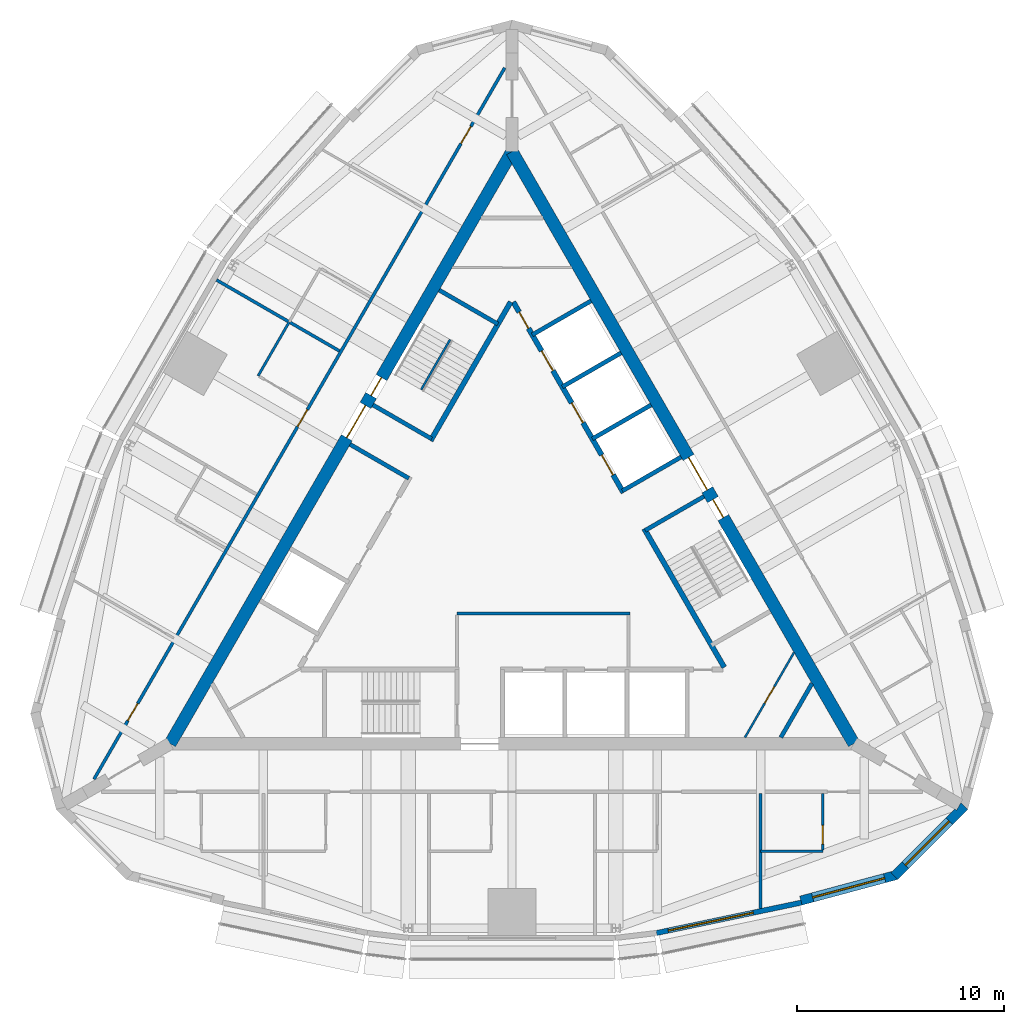
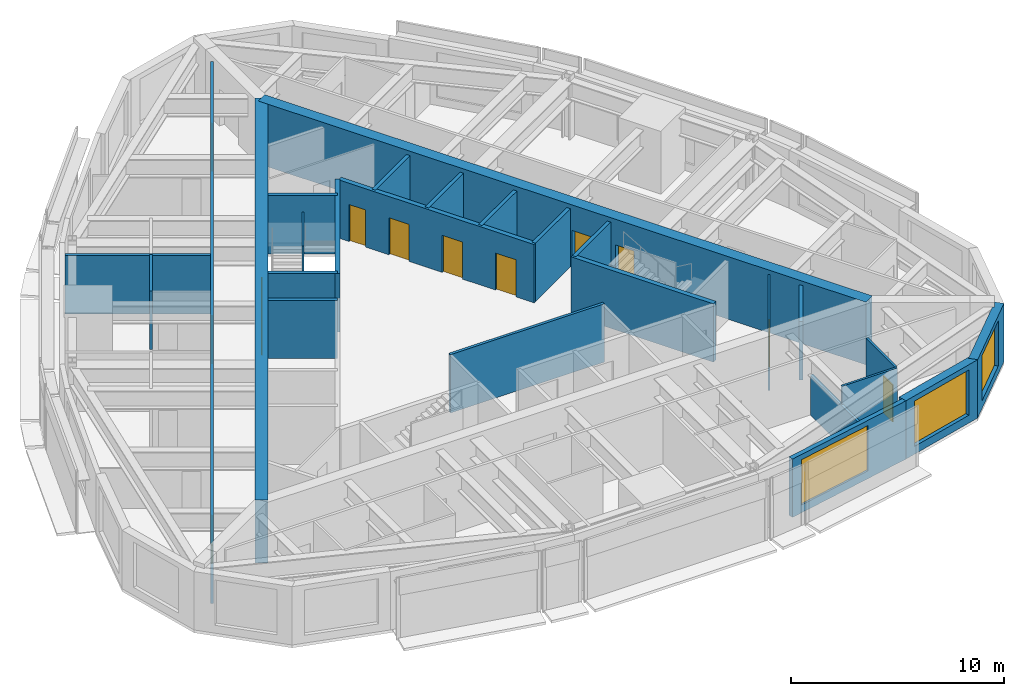
# One storey, part 9 of 12: 26 walls, 13 doors, 3 windows, 16 openings.
"""IFC4 building model written with IfcOpenShell, lengths in metres."""

from ifc_helpers import new_model, si_unit, direction, frame, frame_2d, origin, place, context, subcontext, project, spatial, polyline, rectangle, outline, extrude, material, layer, layer_set, type_object, element, fill, save


model = new_model("IFC4")

# Units and contexts
model_context = context("Model", 3, precision=1e-05, world=origin(), true_north=direction((0.0, 1.0)))
body_context = subcontext(model_context, "Body", "Model", "MODEL_VIEW")
ifc_project = project(units=[si_unit("LENGTHUNIT", "METRE"), si_unit("AREAUNIT", "SQUARE_METRE"), si_unit("VOLUMEUNIT", "CUBIC_METRE"), si_unit("PLANEANGLEUNIT", "RADIAN"), si_unit("MASSUNIT", "GRAM", prefix="KILO")], contexts=[model_context])

# Site, building, storey
site_placement = place(None, origin())
site = spatial("IfcSite", under=ifc_project, at=site_placement, CompositionType="ELEMENT")
building_placement = place(site_placement, origin())
building = spatial("IfcBuilding", under=site, at=building_placement, Name="Trikona Tower", CompositionType="ELEMENT")
storey_placement = place(building_placement, frame((0.0, 0.0, 271.699951171875)))
storey = spatial("IfcBuildingStorey", under=building, at=storey_placement, Name="L72", CompositionType="ELEMENT", Elevation=271.699951171875)

# Wall
ifc_material_1 = material(Name="Metal stud and cement board", Category="gypsum")
ifc_layer_1 = layer(ifc_material_1, 0.1201171875)
ifc_layer_set_1 = layer_set([ifc_layer_1], Name="Bathroom wall 120")
wall_type_1 = type_object("IfcWallType", Name="Bathroom wall 120", PredefinedType="PLUMBINGWALL", material=ifc_layer_set_1)
wall_1_placement = place(storey_placement, frame((12.0, -14.726318359375, 0.0), z_axis=(0.0, 0.0, 1.0), x_axis=(1.0, 0.0, 0.0)))
element("IfcWall", 1, at=wall_1_placement, inside=storey, type_object=wall_type_1, Name="Bathroom wall 7205", PredefinedType="PLUMBINGWALL", context=body_context, shape_type="SweptSolid", body=[
    extrude(rectangle(XDim=3.0, YDim=0.1201171875, at=frame_2d((1.5, 0.0))), origin(), (0.0, 0.0, 1.0), 3.35009765625),
])

# Wall, opening, door
wall_2_placement = place(storey_placement, frame((15.0, -11.92626953125, 0.0), z_axis=(0.0, 0.0, 1.0), x_axis=(0.0, -1.0, 0.0)))
wall_2 = element("IfcWall", 2, at=wall_2_placement, inside=storey, type_object=wall_type_1, Name="Bathroom wall 7205", PredefinedType="PLUMBINGWALL", context=body_context, shape_type="SweptSolid", body=[
    extrude(rectangle(XDim=2.739990234375, YDim=0.1201171875, at=frame_2d((1.3701171875, 0.0))), origin(), (0.0, 0.0, 1.0), 3.35009765625),
])
opening_1_placement = place(wall_2_placement, frame((1.550048828125, 0.0, 0.0)))
opening_1 = element("IfcOpeningElement", 3, at=opening_1_placement, cuts=wall_2, Name="Opening D2", PredefinedType="OPENING", context=body_context, shape_type="SweptSolid", body=[
    extrude(rectangle(XDim=0.89990234375, YDim=2.1298828125, at=frame_2d((0.449951171875, 1.06494140625))), frame((0.0, 0.070068359375, 0.0), z_axis=(0.0, -1.0, 0.0), x_axis=(1.0, 0.0, 0.0)), (0.0, 0.0, 1.0), 0.14013671875),
])
ifc_material_2 = material(Name="Steel door frame with solid-core timber leaf", Category="steel")
door_type_1 = type_object("IfcDoorType", Name="Bathroom door 900x2130", OperationType="SLIDING_TO_LEFT", PredefinedType="DOOR", material=ifc_material_2)
door_1_placement = place(opening_1_placement, origin())
door_1 = element("IfcDoor", 4, at=door_1_placement, inside=storey, type_object=door_type_1, Name="Bathroom door 7205", OperationType="SLIDING_TO_LEFT", OverallHeight=2.1298828125, OverallWidth=0.89990234375, PredefinedType="DOOR", context=body_context, shape_type="SweptSolid", body=[
    extrude(rectangle(XDim=0.89990234375, YDim=2.1298828125, at=frame_2d((0.449951171875, 1.06494140625))), frame((0.0, 0.02490234375, 0.0), z_axis=(0.0, -1.0, 0.0), x_axis=(1.0, 0.0, 0.0)), (0.0, 0.0, 1.0), 0.050048828125),
])
fill(opening_1, door_1)

# Wall
wall_3_placement = place(storey_placement, frame((-10.75341796875, 10.8271484375, 0.0), z_axis=(0.0, 0.0, 1.0), x_axis=(-0.50002537861, -0.866010750942, 0.0)))
element("IfcWall", 5, at=wall_3_placement, inside=storey, type_object=wall_type_1, Name="Bathroom wall 7208", PredefinedType="PLUMBINGWALL", context=body_context, shape_type="SweptSolid", body=[
    extrude(rectangle(XDim=2.999755859375, YDim=0.1201171875, at=frame_2d((1.5, 0.0))), origin(), (0.0, 0.0, 1.0), 3.35009765625),
])

# Wall, opening, window
ifc_material_3 = material(Name="Brick-faced precast concrete", Category="masonry")
ifc_layer_2 = layer(ifc_material_3, 0.449951171875)
ifc_layer_set_2 = layer_set([ifc_layer_2], Name="Brick-faced corner wall 450")
wall_type_2 = type_object("IfcWallType", Name="Brick-faced corner wall 450", PredefinedType="SOLIDWALL", material=ifc_layer_set_2)
wall_4_placement = place(storey_placement, frame((13.94189453125, -17.103271484375, 0.0), z_axis=(0.0, 0.0, 1.0), x_axis=(0.965913862671, 0.258863689806, 0.0)))
wall_4 = element("IfcWall", 6, at=wall_4_placement, inside=storey, type_object=wall_type_2, Name="External wall L72-05", PredefinedType="SOLIDWALL", context=body_context, shape_type="SweptSolid", body=[
    extrude(rectangle(XDim=4.78173828125, YDim=0.449951171875, at=frame_2d((2.390869140625, 0.0))), origin(), (0.0, 0.0, 1.0), 3.35009765625),
])
opening_2_placement = place(wall_4_placement, frame((0.5908203125, 0.0, 0.449951171875)))
opening_2 = element("IfcOpeningElement", 7, at=opening_2_placement, cuts=wall_4, Name="Opening W3626", PredefinedType="OPENING", context=body_context, shape_type="SweptSolid", body=[
    extrude(rectangle(XDim=3.60009765625, YDim=2.60009765625, at=frame_2d((1.800048828125, 1.300048828125))), frame((0.0, 0.23486328125, 0.0), z_axis=(0.0, -1.0, 0.0), x_axis=(1.0, 0.0, 0.0)), (0.0, 0.0, 1.0), 0.469970703125),
])
ifc_material_4 = material(Name="Aluminium-framed double glazing", Category="aluminium")
window_type_1 = type_object("IfcWindowType", Name="Window 3600x2600", PartitioningType="SINGLE_PANEL", PredefinedType="WINDOW", material=ifc_material_4)
window_1_placement = place(opening_2_placement, origin())
window_1 = element("IfcWindow", 8, at=window_1_placement, inside=storey, type_object=window_type_1, Name="Window 7205", OverallHeight=2.60009765625, OverallWidth=3.60009765625, PartitioningType="SINGLE_PANEL", PredefinedType="WINDOW", context=body_context, shape_type="SweptSolid", body=[
    extrude(rectangle(XDim=3.60009765625, YDim=2.60009765625, at=frame_2d((1.800048828125, 1.300048828125))), frame((0.0, 0.030029296875, 0.0), z_axis=(0.0, -1.0, 0.0), x_axis=(1.0, 0.0, 0.0)), (0.0, 0.0, 1.0), 0.06005859375),
])
fill(opening_2, window_1)

wall_5_placement = place(storey_placement, frame((18.459716796875, -15.923828125, 0.0), z_axis=(0.0, 0.0, 1.0), x_axis=(0.707081252484, 0.707132308968, 0.0)))
wall_5 = element("IfcWall", 9, at=wall_5_placement, inside=storey, type_object=wall_type_2, Name="External wall L72-06", PredefinedType="SOLIDWALL", context=body_context, shape_type="SweptSolid", body=[
    extrude(outline(polyline([(4.78173828125, 0.22509765625), (4.722900390625, 0.22509765625), (4.37548828125, 0.1318359375), (4.3505859375, 0.22509765625), (0.0, 0.22509765625), (0.0, -0.22509765625), (4.78173828125, -0.22509765625), (4.78173828125, 0.22509765625)])), origin(), (0.0, 0.0, 1.0), 3.35009765625),
])
opening_3_placement = place(wall_5_placement, frame((0.750244140625, 0.0, 0.449951171875)))
opening_3 = element("IfcOpeningElement", 10, at=opening_3_placement, cuts=wall_5, Name="Opening W3026", PredefinedType="OPENING", context=body_context, shape_type="SweptSolid", body=[
    extrude(rectangle(XDim=3.0, YDim=2.60009765625, at=frame_2d((1.5, 1.300048828125))), frame((0.0, 0.23486328125, 0.0), z_axis=(0.0, -1.0, 0.0), x_axis=(1.0, 0.0, 0.0)), (0.0, 0.0, 1.0), 0.469970703125),
])
ifc_material_5 = material(Name="Aluminium-framed double glazing", Category="aluminium")
window_type_2 = type_object("IfcWindowType", Name="Window 3000x2600", PartitioningType="SINGLE_PANEL", PredefinedType="WINDOW", material=ifc_material_5)
window_2_placement = place(opening_3_placement, origin())
window_2 = element("IfcWindow", 11, at=window_2_placement, inside=storey, type_object=window_type_2, Name="Window 7205", OverallHeight=2.60009765625, OverallWidth=3.0, PartitioningType="SINGLE_PANEL", PredefinedType="WINDOW", context=body_context, shape_type="SweptSolid", body=[
    extrude(rectangle(XDim=3.0, YDim=2.60009765625, at=frame_2d((1.5, 1.300048828125))), frame((0.0, 0.030029296875, 0.0), z_axis=(0.0, -1.0, 0.0), x_axis=(1.0, 0.0, 0.0)), (0.0, 0.0, 1.0), 0.06005859375),
])
fill(opening_3, window_2)

# Wall, openings, doors
ifc_material_6 = material(Name="Concrete f'c 10000 psi", Category="concrete")
ifc_layer_3 = layer(ifc_material_6, 0.60009765625)
ifc_layer_set_3 = layer_set([ifc_layer_3], Name="Core wall 600")
wall_type_3 = type_object("IfcWallType", Name="Core wall 600", PredefinedType="SHEAR", material=ifc_layer_set_3)
wall_6_placement = place(storey_placement, frame((16.5, -9.5263671875, 0.0), z_axis=(0.0, 0.0, 1.0), x_axis=(-0.499999749417, 0.866025548458, 0.0)))
wall_6 = element("IfcWall", 12, at=wall_6_placement, inside=storey, type_object=wall_type_3, Name="Core wall B", PredefinedType="SHEAR", context=body_context, shape_type="SweptSolid", body=[
    extrude(rectangle(XDim=33.0, YDim=0.60009765625, at=frame_2d((16.5, 0.0))), origin(), (0.0, 0.0, 1.0), 3.60009765625),
])
opening_4_placement = place(wall_6_placement, frame((14.14990234375, 0.0, 0.0)))
opening_4 = element("IfcOpeningElement", 13, at=opening_4_placement, cuts=wall_6, Name="Opening D6", PredefinedType="OPENING", context=body_context, shape_type="SweptSolid", body=[
    extrude(rectangle(XDim=1.800048828125, YDim=2.1298828125, at=frame_2d((0.89990234375, 1.06494140625))), frame((0.0, 0.31005859375, 0.0), z_axis=(0.0, -1.0, 0.0), x_axis=(1.0, 0.0, 0.0)), (0.0, 0.0, 1.0), 0.6201171875),
])
opening_5_placement = place(wall_6_placement, frame((12.60009765625, 0.0, 0.0)))
opening_5 = element("IfcOpeningElement", 14, at=opening_5_placement, cuts=wall_6, Name="Opening D5", PredefinedType="OPENING", context=body_context, shape_type="SweptSolid", body=[
    extrude(rectangle(XDim=1.0, YDim=2.1298828125, at=frame_2d((0.5, 1.06494140625))), frame((0.0, 0.31005859375, 0.0), z_axis=(0.0, -1.0, 0.0), x_axis=(1.0, 0.0, 0.0)), (0.0, 0.0, 1.0), 0.6201171875),
])
ifc_material_7 = material(Name="Hollow metal door and frame", Category="steel")
door_type_2 = type_object("IfcDoorType", Name="Lobby door pair 1800x2130", OperationType="DOUBLE_DOOR_SINGLE_SWING", PredefinedType="DOOR", material=ifc_material_7)
door_2_placement = place(opening_4_placement, origin())
door_2 = element("IfcDoor", 15, at=door_2_placement, inside=storey, type_object=door_type_2, Name="Lift lobby door B", OperationType="DOUBLE_DOOR_SINGLE_SWING", OverallHeight=2.1298828125, OverallWidth=1.800048828125, PredefinedType="DOOR", context=body_context, shape_type="SweptSolid", body=[
    extrude(rectangle(XDim=1.800048828125, YDim=2.1298828125, at=frame_2d((0.89990234375, 1.06494140625))), frame((0.0, 0.02490234375, 0.0), z_axis=(0.0, -1.0, 0.0), x_axis=(1.0, 0.0, 0.0)), (0.0, 0.0, 1.0), 0.050048828125),
])
fill(opening_4, door_2)
ifc_material_8 = material(Name="Hollow metal door and frame", Category="steel")
door_type_3 = type_object("IfcDoorType", Name="Stair door 1000x2130", OperationType="SINGLE_SWING_LEFT", PredefinedType="DOOR", material=ifc_material_8)
door_3_placement = place(opening_5_placement, origin())
door_3 = element("IfcDoor", 16, at=door_3_placement, inside=storey, type_object=door_type_3, Name="Stair B door", OperationType="SINGLE_SWING_RIGHT", OverallHeight=2.1298828125, OverallWidth=1.0, PredefinedType="DOOR", context=body_context, shape_type="SweptSolid", body=[
    extrude(rectangle(XDim=1.0, YDim=2.1298828125, at=frame_2d((0.5, 1.06494140625))), frame((0.0, 0.02490234375, 0.0), z_axis=(0.0, -1.0, 0.0), x_axis=(1.0, 0.0, 0.0)), (0.0, 0.0, 1.0), 0.050048828125),
])
fill(opening_5, door_3)

wall_7_placement = place(storey_placement, frame((0.0, 19.052490234375, 0.0), z_axis=(0.0, 0.0, 1.0), x_axis=(-0.499999749417, -0.866025548458, 0.0)))
wall_7 = element("IfcWall", 17, at=wall_7_placement, inside=storey, type_object=wall_type_3, Name="Core wall C", PredefinedType="SHEAR", context=body_context, shape_type="SweptSolid", body=[
    extrude(rectangle(XDim=33.0, YDim=0.60009765625, at=frame_2d((16.5, 0.0))), origin(), (0.0, 0.0, 1.0), 3.60009765625),
])
opening_6_placement = place(wall_7_placement, frame((14.14990234375, 0.0, 0.0)))
opening_6 = element("IfcOpeningElement", 18, at=opening_6_placement, cuts=wall_7, Name="Opening D6", PredefinedType="OPENING", context=body_context, shape_type="SweptSolid", body=[
    extrude(rectangle(XDim=1.800048828125, YDim=2.1298828125, at=frame_2d((0.89990234375, 1.06494140625))), frame((0.0, 0.31005859375, 0.0), z_axis=(0.0, -1.0, 0.0), x_axis=(1.0, 0.0, 0.0)), (0.0, 0.0, 1.0), 0.6201171875),
])
opening_7_placement = place(wall_7_placement, frame((12.60009765625, 0.0, 0.0)))
opening_7 = element("IfcOpeningElement", 19, at=opening_7_placement, cuts=wall_7, Name="Opening D5", PredefinedType="OPENING", context=body_context, shape_type="SweptSolid", body=[
    extrude(rectangle(XDim=1.0, YDim=2.1298828125, at=frame_2d((0.5, 1.06494140625))), frame((0.0, 0.31005859375, 0.0), z_axis=(0.0, -1.0, 0.0), x_axis=(1.0, 0.0, 0.0)), (0.0, 0.0, 1.0), 0.6201171875),
])
door_4_placement = place(opening_6_placement, origin())
door_4 = element("IfcDoor", 20, at=door_4_placement, inside=storey, type_object=door_type_2, Name="Lift lobby door C", OperationType="DOUBLE_DOOR_SINGLE_SWING", OverallHeight=2.1298828125, OverallWidth=1.800048828125, PredefinedType="DOOR", context=body_context, shape_type="SweptSolid", body=[
    extrude(rectangle(XDim=1.800048828125, YDim=2.1298828125, at=frame_2d((0.89990234375, 1.06494140625))), frame((0.0, 0.02490234375, 0.0), z_axis=(0.0, -1.0, 0.0), x_axis=(1.0, 0.0, 0.0)), (0.0, 0.0, 1.0), 0.050048828125),
])
fill(opening_6, door_4)
door_5_placement = place(opening_7_placement, origin())
door_5 = element("IfcDoor", 21, at=door_5_placement, inside=storey, type_object=door_type_3, Name="Stair C door", OperationType="SINGLE_SWING_RIGHT", OverallHeight=2.1298828125, OverallWidth=1.0, PredefinedType="DOOR", context=body_context, shape_type="SweptSolid", body=[
    extrude(rectangle(XDim=1.0, YDim=2.1298828125, at=frame_2d((0.5, 1.06494140625))), frame((0.0, 0.02490234375, 0.0), z_axis=(0.0, -1.0, 0.0), x_axis=(1.0, 0.0, 0.0)), (0.0, 0.0, 1.0), 0.050048828125),
])
fill(opening_7, door_5)

ifc_material_9 = material(Name="Metal stud and gypsum board, 1-hour", Category="gypsum")
ifc_layer_4 = layer(ifc_material_9, 0.14990234375)
ifc_layer_set_4 = layer_set([ifc_layer_4], Name="Corridor wall 150")
wall_type_4 = type_object("IfcWallType", Name="Corridor wall 150", PredefinedType="PARTITIONING", material=ifc_layer_set_4)
wall_8_placement = place(storey_placement, frame((-0.35009765625, 23.09619140625, 0.0), z_axis=(0.0, 0.0, 1.0), x_axis=(-0.499998875317, -0.866026053119, 0.0)))
wall_8 = element("IfcWall", 22, at=wall_8_placement, inside=storey, type_object=wall_type_4, Name="Corridor wall L72-3", PredefinedType="PARTITIONING", context=body_context, shape_type="SweptSolid", body=[
    extrude(rectangle(XDim=39.65380859375, YDim=0.14990234375, at=frame_2d((19.826904296875, 0.0))), origin(), (0.0, 0.0, 1.0), 3.35009765625),
])
opening_8_placement = place(wall_8_placement, frame((3.271728515625, 0.0, 0.0)))
opening_8 = element("IfcOpeningElement", 23, at=opening_8_placement, cuts=wall_8, Name="Opening D1", PredefinedType="OPENING", context=body_context, shape_type="SweptSolid", body=[
    extrude(rectangle(XDim=0.949951171875, YDim=2.1298828125, at=frame_2d((0.47509765625, 1.06494140625))), frame((0.0, 0.0849609375, 0.0), z_axis=(0.0, -1.0, 0.0), x_axis=(1.0, 0.0, 0.0)), (0.0, 0.0, 1.0), 0.169921875),
])
opening_9_placement = place(wall_8_placement, frame((19.052001953125, 0.0, 0.0)))
opening_9 = element("IfcOpeningElement", 24, at=opening_9_placement, cuts=wall_8, Name="Opening D1", PredefinedType="OPENING", context=body_context, shape_type="SweptSolid", body=[
    extrude(rectangle(XDim=0.949951171875, YDim=2.1298828125, at=frame_2d((0.47509765625, 1.06494140625))), frame((0.0, 0.0849609375, 0.0), z_axis=(0.0, -1.0, 0.0), x_axis=(1.0, 0.0, 0.0)), (0.0, 0.0, 1.0), 0.169921875),
])
opening_10_placement = place(wall_8_placement, frame((35.432373046875, 0.0, 0.0)))
opening_10 = element("IfcOpeningElement", 25, at=opening_10_placement, cuts=wall_8, Name="Opening D1", PredefinedType="OPENING", context=body_context, shape_type="SweptSolid", body=[
    extrude(rectangle(XDim=0.949951171875, YDim=2.1298828125, at=frame_2d((0.47509765625, 1.06494140625))), frame((0.0, 0.0849609375, 0.0), z_axis=(0.0, -1.0, 0.0), x_axis=(1.0, 0.0, 0.0)), (0.0, 0.0, 1.0), 0.169921875),
])
ifc_material_10 = material(Name="Steel door frame with solid-core timber leaf", Category="steel")
door_type_4 = type_object("IfcDoorType", Name="Guest room door 950x2130", OperationType="SINGLE_SWING_LEFT", PredefinedType="DOOR", material=ifc_material_10)
door_6_placement = place(opening_8_placement, origin())
door_6 = element("IfcDoor", 26, at=door_6_placement, inside=storey, type_object=door_type_4, Name="Room door 7207", OperationType="SINGLE_SWING_LEFT", OverallHeight=2.1298828125, OverallWidth=0.949951171875, PredefinedType="DOOR", context=body_context, shape_type="SweptSolid", body=[
    extrude(rectangle(XDim=0.949951171875, YDim=2.1298828125, at=frame_2d((0.47509765625, 1.06494140625))), frame((0.0, 0.02490234375, 0.0), z_axis=(0.0, -1.0, 0.0), x_axis=(1.0, 0.0, 0.0)), (0.0, 0.0, 1.0), 0.050048828125),
])
fill(opening_8, door_6)
door_7_placement = place(opening_9_placement, origin())
door_7 = element("IfcDoor", 27, at=door_7_placement, inside=storey, type_object=door_type_4, Name="Room door 7208", OperationType="SINGLE_SWING_RIGHT", OverallHeight=2.1298828125, OverallWidth=0.949951171875, PredefinedType="DOOR", context=body_context, shape_type="SweptSolid", body=[
    extrude(rectangle(XDim=0.949951171875, YDim=2.1298828125, at=frame_2d((0.47509765625, 1.06494140625))), frame((0.0, 0.02490234375, 0.0), z_axis=(0.0, -1.0, 0.0), x_axis=(1.0, 0.0, 0.0)), (0.0, 0.0, 1.0), 0.050048828125),
])
fill(opening_9, door_7)
door_8_placement = place(opening_10_placement, origin())
door_8 = element("IfcDoor", 28, at=door_8_placement, inside=storey, type_object=door_type_4, Name="Room door 7209", OperationType="SINGLE_SWING_RIGHT", OverallHeight=2.1298828125, OverallWidth=0.949951171875, PredefinedType="DOOR", context=body_context, shape_type="SweptSolid", body=[
    extrude(rectangle(XDim=0.949951171875, YDim=2.1298828125, at=frame_2d((0.47509765625, 1.06494140625))), frame((0.0, 0.02490234375, 0.0), z_axis=(0.0, -1.0, 0.0), x_axis=(1.0, 0.0, 0.0)), (0.0, 0.0, 1.0), 0.050048828125),
])
fill(opening_10, door_8)

# Wall
ifc_material_11 = material(Name="Concrete f'c 8000 psi", Category="concrete")
ifc_layer_5 = layer(ifc_material_11, 0.25)
ifc_layer_set_5 = layer_set([ifc_layer_5], Name="Hub wall 250")
wall_type_5 = type_object("IfcWallType", Name="Hub wall 250", PredefinedType="SOLIDWALL", material=ifc_layer_set_5)
wall_9_placement = place(storey_placement, frame((10.245361328125, -5.843017578125, 0.0), z_axis=(0.0, 0.0, 1.0), x_axis=(-0.499993009313, 0.866029439822, 0.0)))
element("IfcWall", 29, at=wall_9_placement, inside=storey, type_object=wall_type_5, Name="Lift lobby wall B1", PredefinedType="SOLIDWALL", context=body_context, shape_type="SweptSolid", body=[
    extrude(rectangle(XDim=7.73291015625, YDim=0.25, at=frame_2d((3.866455078125, 0.0))), origin(), (0.0, 0.0, 1.0), 3.35009765625),
])

# Wall, openings, doors
wall_10_placement = place(storey_placement, frame((5.37890625, 2.5859375, 0.0), z_axis=(0.0, 0.0, 1.0), x_axis=(-0.500001375892, 0.866024609411, 0.0)))
wall_10 = element("IfcWall", 30, at=wall_10_placement, inside=storey, type_object=wall_type_5, Name="Lift lobby wall B2", PredefinedType="SOLIDWALL", context=body_context, shape_type="SweptSolid", body=[
    extrude(rectangle(XDim=10.6328125, YDim=0.25, at=frame_2d((5.31640625, 0.0))), origin(), (0.0, 0.0, 1.0), 3.35009765625),
])
opening_11_placement = place(wall_10_placement, frame((9.1640625, 0.0, 0.0)))
opening_11 = element("IfcOpeningElement", 31, at=opening_11_placement, cuts=wall_10, Name="Opening D14", PredefinedType="OPENING", context=body_context, shape_type="SweptSolid", body=[
    extrude(rectangle(XDim=0.89990234375, YDim=2.1298828125, at=frame_2d((0.449951171875, 1.06494140625))), frame((0.0, 0.135009765625, 0.0), z_axis=(0.0, -1.0, 0.0), x_axis=(1.0, 0.0, 0.0)), (0.0, 0.0, 1.0), 0.27001953125),
])
opening_12_placement = place(wall_10_placement, frame((1.0, 0.0, 0.0)))
opening_12 = element("IfcOpeningElement", 32, at=opening_12_placement, cuts=wall_10, Name="Opening LD", PredefinedType="OPENING", context=body_context, shape_type="SweptSolid", body=[
    extrude(rectangle(XDim=1.10009765625, YDim=2.1298828125, at=frame_2d((0.550048828125, 1.06494140625))), frame((0.0, 0.135009765625, 0.0), z_axis=(0.0, -1.0, 0.0), x_axis=(1.0, 0.0, 0.0)), (0.0, 0.0, 1.0), 0.27001953125),
])
opening_13_placement = place(wall_10_placement, frame((3.89990234375, 0.0, 0.0)))
opening_13 = element("IfcOpeningElement", 33, at=opening_13_placement, cuts=wall_10, Name="Opening LD", PredefinedType="OPENING", context=body_context, shape_type="SweptSolid", body=[
    extrude(rectangle(XDim=1.10009765625, YDim=2.1298828125, at=frame_2d((0.550048828125, 1.06494140625))), frame((0.0, 0.135009765625, 0.0), z_axis=(0.0, -1.0, 0.0), x_axis=(1.0, 0.0, 0.0)), (0.0, 0.0, 1.0), 0.27001953125),
])
opening_14_placement = place(wall_10_placement, frame((6.800048828125, 0.0, 0.0)))
opening_14 = element("IfcOpeningElement", 34, at=opening_14_placement, cuts=wall_10, Name="Opening LD", PredefinedType="OPENING", context=body_context, shape_type="SweptSolid", body=[
    extrude(rectangle(XDim=1.10009765625, YDim=2.1298828125, at=frame_2d((0.550048828125, 1.06494140625))), frame((0.0, 0.135009765625, 0.0), z_axis=(0.0, -1.0, 0.0), x_axis=(1.0, 0.0, 0.0)), (0.0, 0.0, 1.0), 0.27001953125),
])
ifc_material_12 = material(Name="Stainless steel lift landing door", Category="steel")
door_type_5 = type_object("IfcDoorType", Name="Lift landing door 1100x2130", OperationType="DOUBLE_DOOR_SLIDING", PredefinedType="USERDEFINED", material=ifc_material_12)
door_9_placement = place(opening_12_placement, origin())
door_9 = element("IfcDoor", 35, at=door_9_placement, inside=storey, type_object=door_type_5, Name="Lift landing door L3-1", ObjectType="LIFT LANDING DOOR", OperationType="DOUBLE_DOOR_SLIDING", OverallHeight=2.1298828125, OverallWidth=1.10009765625, PredefinedType="USERDEFINED", context=body_context, shape_type="SweptSolid", body=[
    extrude(rectangle(XDim=1.10009765625, YDim=2.1298828125, at=frame_2d((0.550048828125, 1.06494140625))), frame((0.0, 0.02490234375, 0.0), z_axis=(0.0, -1.0, 0.0), x_axis=(1.0, 0.0, 0.0)), (0.0, 0.0, 1.0), 0.050048828125),
])
fill(opening_12, door_9)
door_10_placement = place(opening_13_placement, origin())
door_10 = element("IfcDoor", 36, at=door_10_placement, inside=storey, type_object=door_type_5, Name="Lift landing door L3-2", ObjectType="LIFT LANDING DOOR", OperationType="DOUBLE_DOOR_SLIDING", OverallHeight=2.1298828125, OverallWidth=1.10009765625, PredefinedType="USERDEFINED", context=body_context, shape_type="SweptSolid", body=[
    extrude(rectangle(XDim=1.10009765625, YDim=2.1298828125, at=frame_2d((0.550048828125, 1.06494140625))), frame((0.0, 0.02490234375, 0.0), z_axis=(0.0, -1.0, 0.0), x_axis=(1.0, 0.0, 0.0)), (0.0, 0.0, 1.0), 0.050048828125),
])
fill(opening_13, door_10)
door_11_placement = place(opening_14_placement, origin())
door_11 = element("IfcDoor", 37, at=door_11_placement, inside=storey, type_object=door_type_5, Name="Lift landing door L3-3", ObjectType="LIFT LANDING DOOR", OperationType="DOUBLE_DOOR_SLIDING", OverallHeight=2.1298828125, OverallWidth=1.10009765625, PredefinedType="USERDEFINED", context=body_context, shape_type="SweptSolid", body=[
    extrude(rectangle(XDim=1.10009765625, YDim=2.1298828125, at=frame_2d((0.550048828125, 1.06494140625))), frame((0.0, 0.02490234375, 0.0), z_axis=(0.0, -1.0, 0.0), x_axis=(1.0, 0.0, 0.0)), (0.0, 0.0, 1.0), 0.050048828125),
])
fill(opening_14, door_11)
ifc_material_13 = material(Name="Hollow metal door and frame", Category="steel")
door_type_6 = type_object("IfcDoorType", Name="Service room door 900x2130", OperationType="SINGLE_SWING_LEFT", PredefinedType="DOOR", material=ifc_material_13)
door_12_placement = place(opening_11_placement, origin())
door_12 = element("IfcDoor", 38, at=door_12_placement, inside=storey, type_object=door_type_6, Name="Door Housekeeping store HKS", OperationType="SINGLE_SWING_RIGHT", OverallHeight=2.1298828125, OverallWidth=0.89990234375, PredefinedType="DOOR", context=body_context, shape_type="SweptSolid", body=[
    extrude(rectangle(XDim=0.89990234375, YDim=2.1298828125, at=frame_2d((0.449951171875, 1.06494140625))), frame((0.0, 0.02490234375, 0.0), z_axis=(0.0, -1.0, 0.0), x_axis=(1.0, 0.0, 0.0)), (0.0, 0.0, 1.0), 0.050048828125),
])
fill(opening_11, door_12)

# Wall
wall_11_placement = place(storey_placement, frame((-0.0625, 11.794189453125, 0.0), z_axis=(0.0, 0.0, 1.0), x_axis=(-0.500006680225, -0.86602154692, 0.0)))
element("IfcWall", 39, at=wall_11_placement, inside=storey, type_object=wall_type_5, Name="Lift lobby wall C1", PredefinedType="SOLIDWALL", context=body_context, shape_type="SweptSolid", body=[
    extrude(rectangle(XDim=7.73291015625, YDim=0.25, at=frame_2d((3.866455078125, 0.0))), origin(), (0.0, 0.0, 1.0), 3.35009765625),
])

# Wall, opening, window
ifc_material_14 = material(Name="Insulated precast concrete spandrel panel", Category="concrete")
ifc_layer_6 = layer(ifc_material_14, 0.25)
ifc_layer_set_6 = layer_set([ifc_layer_6], Name="Inner skin wall 250")
wall_type_6 = type_object("IfcWallType", Name="Inner skin wall 250", PredefinedType="STANDARD", material=ifc_layer_set_6)
wall_12_placement = place(storey_placement, frame((6.974365234375, -18.668212890625, 0.0), z_axis=(0.0, 0.0, 1.0), x_axis=(0.978654320409, 0.205513311355, 0.0)))
wall_12 = element("IfcWall", 40, at=wall_12_placement, inside=storey, type_object=wall_type_6, Name="External wall L72-04", PredefinedType="STANDARD", context=body_context, shape_type="SweptSolid", body=[
    extrude(rectangle(XDim=7.152587890625, YDim=0.25, at=frame_2d((3.576171875, 0.0))), origin(), (0.0, 0.0, 1.0), 3.35009765625),
])
opening_15_placement = place(wall_12_placement, frame((0.576904296875, 0.0, 0.449951171875)))
opening_15 = element("IfcOpeningElement", 41, at=opening_15_placement, cuts=wall_12, Name="Opening W4226", PredefinedType="OPENING", context=body_context, shape_type="SweptSolid", body=[
    extrude(rectangle(XDim=4.199951171875, YDim=2.60009765625, at=frame_2d((2.10009765625, 1.300048828125))), frame((0.0, 0.135009765625, 0.0), z_axis=(0.0, -1.0, 0.0), x_axis=(1.0, 0.0, 0.0)), (0.0, 0.0, 1.0), 0.27001953125),
])
ifc_material_15 = material(Name="Aluminium-framed double glazing", Category="aluminium")
window_type_3 = type_object("IfcWindowType", Name="Window 4200x2600", PartitioningType="SINGLE_PANEL", PredefinedType="WINDOW", material=ifc_material_15)
window_3_placement = place(opening_15_placement, origin())
window_3 = element("IfcWindow", 42, at=window_3_placement, inside=storey, type_object=window_type_3, Name="Window 7204", OverallHeight=2.60009765625, OverallWidth=4.199951171875, PartitioningType="SINGLE_PANEL", PredefinedType="WINDOW", context=body_context, shape_type="SweptSolid", body=[
    extrude(rectangle(XDim=4.199951171875, YDim=2.60009765625, at=frame_2d((2.10009765625, 1.300048828125))), frame((0.0, 0.030029296875, 0.0), z_axis=(0.0, -1.0, 0.0), x_axis=(1.0, 0.0, 0.0)), (0.0, 0.0, 1.0), 0.06005859375),
])
fill(opening_15, window_3)

# Walls
ifc_material_16 = material(Name="Metal stud and gypsum board, 2-hour shaft wall", Category="gypsum")
ifc_layer_7 = layer(ifc_material_16, 0.14990234375)
ifc_layer_set_7 = layer_set([ifc_layer_7], Name="Lobby wall 150")
wall_type_7 = type_object("IfcWallType", Name="Lobby wall 150", PredefinedType="PARTITIONING", material=ifc_layer_set_7)
wall_13_placement = place(storey_placement, frame((-2.64990234375, -3.251220703125, 0.0), z_axis=(0.0, 0.0, 1.0), x_axis=(1.0, 0.0, 0.0)))
element("IfcWall", 43, at=wall_13_placement, inside=storey, type_object=wall_type_7, Name="Fire service lift lobby wall 1", PredefinedType="PARTITIONING", context=body_context, shape_type="SweptSolid", body=[
    extrude(rectangle(XDim=8.349853515625, YDim=0.14990234375, at=frame_2d((4.1748046875, 0.0))), origin(), (0.0, 0.0, 1.0), 3.35009765625),
])
ifc_material_17 = material(Name="Metal stud and gypsum board, 1-hour acoustic", Category="gypsum")
ifc_layer_8 = layer(ifc_material_17, 0.14990234375)
ifc_layer_set_8 = layer_set([ifc_layer_8], Name="Party wall 150")
wall_type_8 = type_object("IfcWallType", Name="Party wall 150", PredefinedType="PARTITIONING", material=ifc_layer_set_8)
wall_14_placement = place(storey_placement, frame((12.0, -11.92626953125, 0.0), z_axis=(0.0, 0.0, 1.0), x_axis=(0.0, -1.0, 0.0)))
element("IfcWall", 44, at=wall_14_placement, inside=storey, type_object=wall_type_8, Name="Partition L72 F1 u12", PredefinedType="PARTITIONING", context=body_context, shape_type="SweptSolid", body=[
    extrude(rectangle(XDim=5.558837890625, YDim=0.14990234375, at=frame_2d((2.779296875, 0.0))), origin(), (0.0, 0.0, 1.0), 2.301025390625),
])
wall_15_placement = place(storey_placement, frame((-8.32861328125, 9.42724609375, 0.0), z_axis=(0.0, 0.0, 1.0), x_axis=(-0.866011785882, 0.500023586156, 0.0)))
element("IfcWall", 45, at=wall_15_placement, inside=storey, type_object=wall_type_8, Name="Partition L72 F3 u-4", PredefinedType="PARTITIONING", context=body_context, shape_type="SweptSolid", body=[
    extrude(rectangle(XDim=6.854248046875, YDim=0.14990234375, at=frame_2d((3.42724609375, 0.0))), origin(), (0.0, 0.0, 1.0), 3.35009765625),
])
ifc_material_18 = material(Name="Concrete f'c 8000 psi", Category="concrete")
ifc_layer_9 = layer(ifc_material_18, 0.199951171875)
ifc_layer_set_9 = layer_set([ifc_layer_9], Name="Shaft wall 200")
wall_type_9 = type_object("IfcWallType", Name="Shaft wall 200", PredefinedType="SOLIDWALL", material=ifc_layer_set_9)
for number, where, z_axis, x_axis, name in (
    (46, (5.3291015625, 2.672607421875, 0.0), (0.0, 0.0, 1.0), (0.866027924134, 0.499995634601, 0.0), "Shaft wall B3"),
    (47, (3.87890625, 5.18408203125, 0.0), (0.0, 0.0, 1.0), (0.866027924134, 0.499995634601, 0.0), "Shaft wall B4"),
    (48, (2.428955078125, 7.695556640625, 0.0), (0.0, 0.0, 1.0), (0.866027924134, 0.499995634601, 0.0), "Shaft wall B5"),
    (49, (0.97900390625, 10.20703125, 0.0), (0.0, 0.0, 1.0), (0.866027924134, 0.499995634601, 0.0), "Shaft wall B6"),
    (50, (-4.97900390625, 3.27880859375, 0.0), (0.0, 0.0, 1.0), (-0.866027924134, 0.499995634601, 0.0), "Shaft wall C3"),
):
    element("IfcWall", number, at=place(storey_placement, frame(where, z_axis=z_axis, x_axis=x_axis)), inside=storey, type_object=wall_type_9, Name=name, PredefinedType="SOLIDWALL", context=body_context, shape_type="SweptSolid", body=[
        extrude(rectangle(XDim=3.27490234375, YDim=0.199951171875, at=frame_2d((1.637451171875, 0.0))), origin(), (0.0, 0.0, 1.0), 3.35009765625),
    ])
wall_16_placement = place(storey_placement, frame((14.479248046875, -6.626220703125, 0.0), z_axis=(0.0, 0.0, 1.0), x_axis=(-0.499952404951, -0.866052881055, 0.0)))
element("IfcWall", 51, at=wall_16_placement, inside=storey, type_object=wall_type_9, Name="Riser wall L72-RS1", PredefinedType="SOLIDWALL", context=body_context, shape_type="SweptSolid", body=[
    extrude(rectangle(XDim=3.002197265625, YDim=0.199951171875, at=frame_2d((1.5009765625, 0.0))), origin(), (0.0, 0.0, 1.0), 3.35009765625),
])
ifc_material_19 = material(Name="Concrete f'c 8000 psi", Category="concrete")
ifc_layer_10 = layer(ifc_material_19, 0.199951171875)
ifc_layer_set_10 = layer_set([ifc_layer_10], Name="Shaft wall 200 load-bearing")
wall_type_10 = type_object("IfcWallType", Name="Shaft wall 200 load-bearing", PredefinedType="SOLIDWALL", material=ifc_layer_set_10)
for number, where, z_axis, x_axis, name in (
    (52, (6.428955078125, 0.767333984375, 0.0), (0.0, 0.0, 1.0), (0.866027924134, 0.499995634601, 0.0), "Shaft wall B2"),
    (53, (-0.678955078125, 10.7265625, 0.0), (0.0, 0.0, 1.0), (-0.866027924134, 0.499995634601, 0.0), "Shaft wall C1"),
    (54, (-3.87890625, 5.18408203125, 0.0), (0.0, 0.0, 1.0), (-0.866027924134, 0.499995634601, 0.0), "Shaft wall C2"),
):
    element("IfcWall", number, at=place(storey_placement, frame(where, z_axis=z_axis, x_axis=x_axis)), inside=storey, type_object=wall_type_10, Name=name, PredefinedType="SOLIDWALL", context=body_context, shape_type="SweptSolid", body=[
        extrude(rectangle(XDim=3.27490234375, YDim=0.199951171875, at=frame_2d((1.637451171875, 0.0))), origin(), (0.0, 0.0, 1.0), 3.35009765625),
    ])
ifc_material_20 = material(Name="Concrete f'c 5000 psi", Category="concrete")
ifc_layer_11 = layer(ifc_material_20, 0.10009765625)
ifc_layer_set_11 = layer_set([ifc_layer_11], Name="Stair spine wall 100")
wall_type_11 = type_object("IfcWallType", Name="Stair spine wall 100", PredefinedType="SOLIDWALL", material=ifc_layer_set_11)
wall_17_placement = place(storey_placement, frame((-2.98779296875, 9.9775390625, 0.0), z_axis=(0.0, 0.0, 1.0), x_axis=(-0.499992232847, -0.866029888106, 0.0)))
element("IfcWall", 55, at=wall_17_placement, inside=storey, type_object=wall_type_11, Name="Stair C spine wall L72", PredefinedType="SOLIDWALL", context=body_context, shape_type="SweptSolid", body=[
    extrude(rectangle(XDim=2.7939453125, YDim=0.10009765625, at=frame_2d((1.39697265625, 0.0))), origin(), (0.0, 0.0, 1.0), 3.60009765625),
])

# Wall, opening, door
ifc_material_21 = material(Name="Metal stud and gypsum board, acoustic", Category="gypsum")
ifc_layer_12 = layer(ifc_material_21, 0.10009765625)
ifc_layer_set_12 = layer_set([ifc_layer_12], Name="Suite partition 100")
wall_type_12 = type_object("IfcWallType", Name="Suite partition 100", PredefinedType="PARTITIONING", material=ifc_layer_set_12)
wall_18_placement = place(storey_placement, frame((13.61328125, -5.126220703125, 0.0), z_axis=(0.0, 0.0, 1.0), x_axis=(-0.499999210213, -0.866025859768, 0.0)))
wall_18 = element("IfcWall", 56, at=wall_18_placement, inside=storey, type_object=wall_type_12, Name="Store partition L72-RS1", PredefinedType="PARTITIONING", context=body_context, shape_type="SweptSolid", body=[
    extrude(rectangle(XDim=4.734375, YDim=0.10009765625, at=frame_2d((2.3671875, 0.0))), origin(), (0.0, 0.0, 1.0), 3.35009765625),
])
opening_16_placement = place(wall_18_placement, frame((1.917236328125, 0.0, 0.0)))
opening_16 = element("IfcOpeningElement", 57, at=opening_16_placement, cuts=wall_18, Name="Opening D15", PredefinedType="OPENING", context=body_context, shape_type="SweptSolid", body=[
    extrude(rectangle(XDim=0.89990234375, YDim=2.1298828125, at=frame_2d((0.449951171875, 1.06494140625))), frame((0.0, 0.06005859375, 0.0), z_axis=(0.0, -1.0, 0.0), x_axis=(1.0, 0.0, 0.0)), (0.0, 0.0, 1.0), 0.1201171875),
])
ifc_material_22 = material(Name="Steel door frame with solid-core timber leaf", Category="steel")
door_type_7 = type_object("IfcDoorType", Name="Store door 900x2130", OperationType="SINGLE_SWING_LEFT", PredefinedType="DOOR", material=ifc_material_22)
door_13_placement = place(opening_16_placement, origin())
door_13 = element("IfcDoor", 58, at=door_13_placement, inside=storey, type_object=door_type_7, Name="Door Cleaner's store CLN", OperationType="SINGLE_SWING_RIGHT", OverallHeight=2.1298828125, OverallWidth=0.89990234375, PredefinedType="DOOR", context=body_context, shape_type="SweptSolid", body=[
    extrude(rectangle(XDim=0.89990234375, YDim=2.1298828125, at=frame_2d((0.449951171875, 1.06494140625))), frame((0.0, 0.02490234375, 0.0), z_axis=(0.0, -1.0, 0.0), x_axis=(1.0, 0.0, 0.0)), (0.0, 0.0, 1.0), 0.050048828125),
])
fill(opening_16, door_13)

save(model, "model.ifc")
